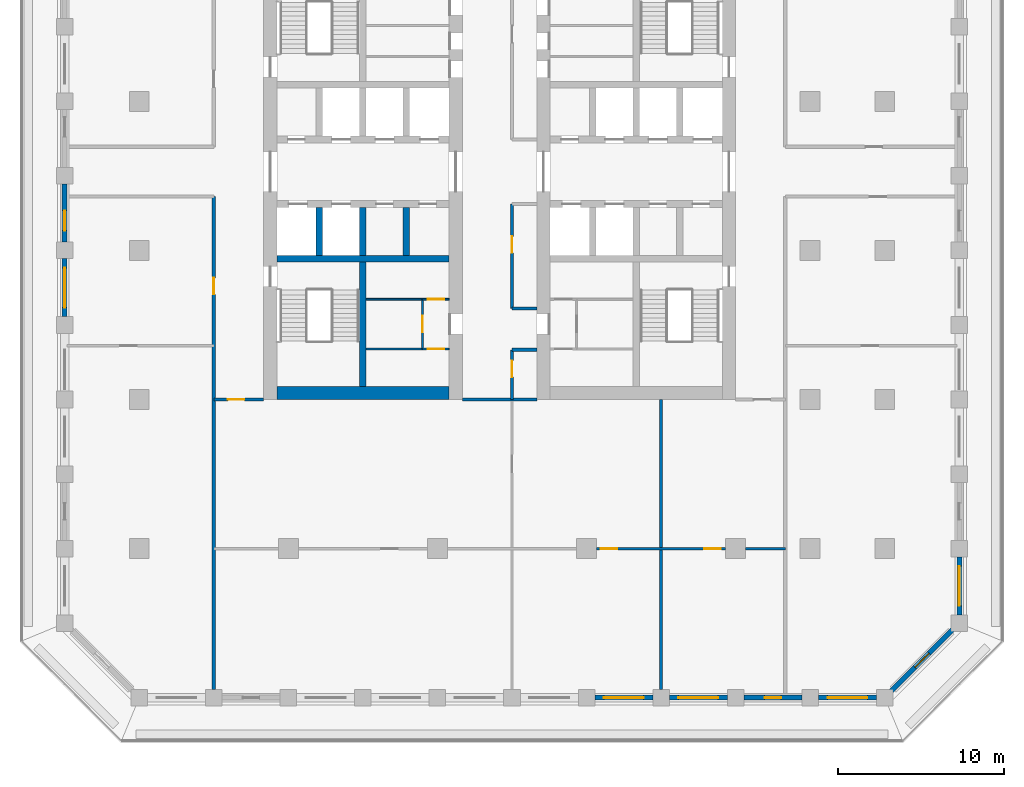
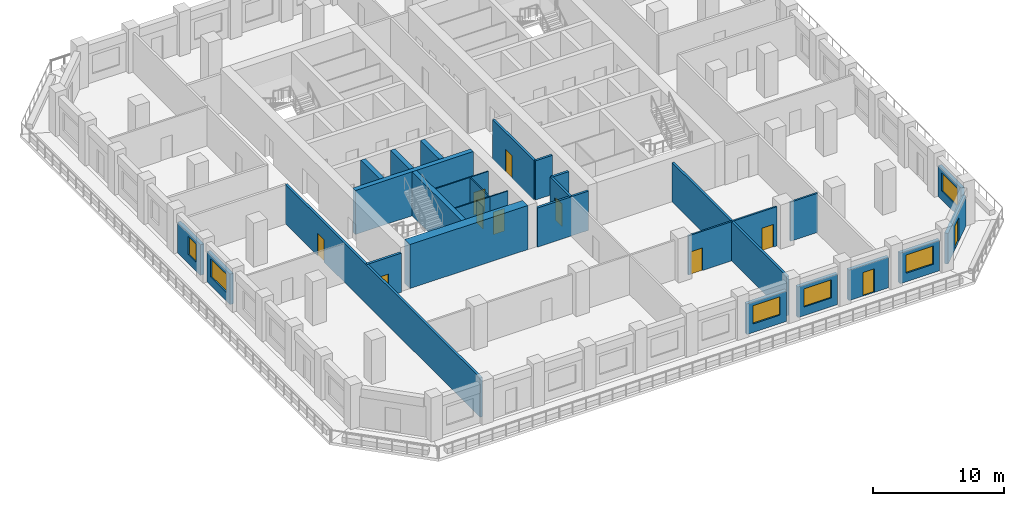
# One storey, part 3 of 16: 29 walls, 11 doors, 6 windows, 17 openings.
"""IFC4 building model written with IfcOpenShell, lengths in metres."""

from ifc_helpers import new_model, si_unit, direction, frame, frame_2d, origin, place, context, subcontext, project, spatial, rectangle, extrude, material, layer, layer_set, type_object, element, fill, save


model = new_model("IFC4")

# Units and contexts
model_context = context("Model", 3, precision=1e-05, world=origin(), true_north=direction((0.0, 1.0)))
body_context = subcontext(model_context, "Body", "Model", "MODEL_VIEW")
ifc_project = project(units=[si_unit("LENGTHUNIT", "METRE"), si_unit("AREAUNIT", "SQUARE_METRE"), si_unit("VOLUMEUNIT", "CUBIC_METRE"), si_unit("PLANEANGLEUNIT", "RADIAN"), si_unit("MASSUNIT", "GRAM", prefix="KILO")], contexts=[model_context])

# Site, building, storey
site_placement = place(None, origin())
site = spatial("IfcSite", under=ifc_project, at=site_placement, CompositionType="ELEMENT")
building_placement = place(site_placement, origin())
building = spatial("IfcBuilding", under=site, at=building_placement, Name="Corbel Stack Research Tower", CompositionType="ELEMENT")
storey_placement = place(building_placement, frame((0.0, 0.0, 195.60009765625)))
storey = spatial("IfcBuildingStorey", under=building, at=storey_placement, Name="L44", CompositionType="ELEMENT", Elevation=195.60009765625)

# Walls
ifc_material_1 = material(Name="Concrete C60/75", Category="concrete")
ifc_layer_1 = layer(ifc_material_1, 0.39990234375)
ifc_layer_set_1 = layer_set([ifc_layer_1], Name="Concrete C60/75")
wall_type_1 = type_object("IfcWallType", Name="CW-400-60", PredefinedType="SHEAR", material=ifc_layer_set_1)
wall_1_placement = place(storey_placement, frame((-9.699951171875, -0.5, 0.0), z_axis=(0.0, 0.0, 1.0), x_axis=(1.0, 0.0, 0.0)))
element("IfcWall", 1, at=wall_1_placement, inside=storey, type_object=wall_type_1, Name="West core wall, south row back L44", PredefinedType="SHEAR", context=body_context, shape_type="SweptSolid", body=[
    extrude(rectangle(XDim=10.39990234375, YDim=0.39990234375, at=frame_2d((5.199951171875, 0.0))), origin(), (0.0, 0.0, 1.0), 4.099853515625),
])
for number, where, z_axis, x_axis, name in (
    (2, (-7.125, -0.300048828125, 0.0), (0.0, 0.0, 1.0), (0.0, 1.0, 0.0), "West core wall, south shaft 1 L44"),
    (3, (-4.5, -0.300048828125, 0.0), (0.0, 0.0, 1.0), (0.0, 1.0, 0.0), "West core wall, south shaft 2 L44"),
    (4, (-1.875, -0.300048828125, 0.0), (0.0, 0.0, 1.0), (0.0, 1.0, 0.0), "West core wall, south shaft 3 L44"),
):
    element("IfcWall", number, at=place(storey_placement, frame(where, z_axis=z_axis, x_axis=x_axis)), inside=storey, type_object=wall_type_1, Name=name, PredefinedType="SHEAR", context=body_context, shape_type="SweptSolid", body=[
        extrude(rectangle(XDim=2.900146484375, YDim=0.39990234375, at=frame_2d((1.4501953125, 0.0))), origin(), (0.0, 0.0, 1.0), 4.099853515625),
    ])
wall_2_placement = place(storey_placement, frame((-4.5, -8.199951171875, 0.0), z_axis=(0.0, 0.0, 1.0), x_axis=(0.0, 1.0, 0.0)))
element("IfcWall", 5, at=wall_2_placement, inside=storey, type_object=wall_type_1, Name="West core wall, south stair and WC L44", PredefinedType="SHEAR", context=body_context, shape_type="SweptSolid", body=[
    extrude(rectangle(XDim=7.5, YDim=0.39990234375, at=frame_2d((3.75, 0.0))), origin(), (0.0, 0.0, 1.0), 4.099853515625),
])
ifc_material_2 = material(Name="Concrete C60/75", Category="concrete")
ifc_layer_2 = layer(ifc_material_2, 0.800048828125)
ifc_layer_set_2 = layer_set([ifc_layer_2], Name="Concrete C60/75")
wall_type_2 = type_object("IfcWallType", Name="CW-800-60", PredefinedType="SHEAR", material=ifc_layer_set_2)
wall_3_placement = place(storey_placement, frame((-9.699951171875, -8.60009765625, 0.0), z_axis=(0.0, 0.0, 1.0), x_axis=(1.0, 0.0, 0.0)))
element("IfcWall", 6, at=wall_3_placement, inside=storey, type_object=wall_type_2, Name="West core wall, south end L44", PredefinedType="SHEAR", context=body_context, shape_type="SweptSolid", body=[
    extrude(rectangle(XDim=10.39990234375, YDim=0.800048828125, at=frame_2d((5.199951171875, 0.0))), origin(), (0.0, 0.0, 1.0), 4.099853515625),
])

# Wall, opening, door
ifc_material_3 = material(Name="Gypsum board")
ifc_layer_3 = layer(ifc_material_3, 0.10009765625)
ifc_layer_set_3 = layer_set([ifc_layer_3], Name="Gypsum board")
wall_type_3 = type_object("IfcWallType", Name="Core partition 100", PredefinedType="PARTITIONING", material=ifc_layer_set_3)
wall_4_placement = place(storey_placement, frame((-0.89990234375, -5.949951171875, 0.0), z_axis=(0.0, 0.0, 1.0), x_axis=(1.0, 0.0, 0.0)))
wall_4 = element("IfcWall", 7, at=wall_4_placement, inside=storey, type_object=wall_type_3, Name="Core partition W", PredefinedType="PARTITIONING", context=body_context, shape_type="SweptSolid", body=[
    extrude(rectangle(XDim=1.599853515625, YDim=0.10009765625, at=frame_2d((0.7998046875, 0.0))), origin(), (0.0, 0.0, 1.0), 3.64990234375),
])
opening_1_placement = place(wall_4_placement, frame((0.300048828125, 0.0, 0.0)))
opening_1 = element("IfcOpeningElement", 8, at=opening_1_placement, cuts=wall_4, Name="Opening CR-W36-W2-1000", PredefinedType="OPENING", context=body_context, shape_type="SweptSolid", body=[
    extrude(rectangle(XDim=1.0, YDim=2.10009765625, at=frame_2d((0.5, 1.050048828125))), frame((0.0, 0.06005859375, 0.0), z_axis=(0.0, -1.0, 0.0), x_axis=(1.0, 0.0, 0.0)), (0.0, 0.0, 1.0), 0.1201171875),
])
ifc_material_4 = material(Name="Painted timber door", Category="wood")
door_type_1 = type_object("IfcDoorType", Name="WC door 1000 x 2100 right hand", OperationType="SINGLE_SWING_RIGHT", PredefinedType="DOOR", material=ifc_material_4)
door_1_placement = place(opening_1_placement, origin())
door_1 = element("IfcDoor", 9, at=door_1_placement, inside=storey, type_object=door_type_1, Name="Men's WC door W core", OperationType="SINGLE_SWING_RIGHT", OverallHeight=2.10009765625, OverallWidth=1.0, PredefinedType="DOOR", context=body_context, shape_type="SweptSolid", body=[
    extrude(rectangle(XDim=1.0, YDim=2.10009765625, at=frame_2d((0.5, 1.050048828125))), frame((0.0, 0.02490234375, 0.0), z_axis=(0.0, -1.0, 0.0), x_axis=(1.0, 0.0, 0.0)), (0.0, 0.0, 1.0), 0.050048828125),
])
fill(opening_1, door_1)

wall_5_placement = place(storey_placement, frame((-0.89990234375, -2.949951171875, 0.0), z_axis=(0.0, 0.0, 1.0), x_axis=(1.0, 0.0, 0.0)))
wall_5 = element("IfcWall", 10, at=wall_5_placement, inside=storey, type_object=wall_type_3, Name="Core partition W", PredefinedType="PARTITIONING", context=body_context, shape_type="SweptSolid", body=[
    extrude(rectangle(XDim=1.599853515625, YDim=0.10009765625, at=frame_2d((0.7998046875, 0.0))), origin(), (0.0, 0.0, 1.0), 3.64990234375),
])
opening_2_placement = place(wall_5_placement, frame((0.300048828125, 0.0, 0.0)))
opening_2 = element("IfcOpeningElement", 11, at=opening_2_placement, cuts=wall_5, Name="Opening CR-W36-W3-1000", PredefinedType="OPENING", context=body_context, shape_type="SweptSolid", body=[
    extrude(rectangle(XDim=1.0, YDim=2.10009765625, at=frame_2d((0.5, 1.050048828125))), frame((0.0, 0.06005859375, 0.0), z_axis=(0.0, -1.0, 0.0), x_axis=(1.0, 0.0, 0.0)), (0.0, 0.0, 1.0), 0.1201171875),
])
ifc_material_5 = material(Name="Painted timber door", Category="wood")
door_type_2 = type_object("IfcDoorType", Name="WC door 1000 x 2100 left hand", OperationType="SINGLE_SWING_LEFT", PredefinedType="DOOR", material=ifc_material_5)
door_2_placement = place(opening_2_placement, origin())
door_2 = element("IfcDoor", 12, at=door_2_placement, inside=storey, type_object=door_type_2, Name="Women's WC door W core", OperationType="SINGLE_SWING_LEFT", OverallHeight=2.10009765625, OverallWidth=1.0, PredefinedType="DOOR", context=body_context, shape_type="SweptSolid", body=[
    extrude(rectangle(XDim=1.0, YDim=2.10009765625, at=frame_2d((0.5, 1.050048828125))), frame((0.0, 0.02490234375, 0.0), z_axis=(0.0, -1.0, 0.0), x_axis=(1.0, 0.0, 0.0)), (0.0, 0.0, 1.0), 0.050048828125),
])
fill(opening_2, door_2)

wall_6_placement = place(storey_placement, frame((-0.89990234375, -5.949951171875, 0.0), z_axis=(0.0, 0.0, 1.0), x_axis=(0.0, 1.0, 0.0)))
wall_6 = element("IfcWall", 13, at=wall_6_placement, inside=storey, type_object=wall_type_3, Name="Core partition W", PredefinedType="PARTITIONING", context=body_context, shape_type="SweptSolid", body=[
    extrude(rectangle(XDim=3.0, YDim=0.10009765625, at=frame_2d((1.5, 0.0))), origin(), (0.0, 0.0, 1.0), 3.64990234375),
])
opening_3_placement = place(wall_6_placement, frame((1.0, 0.0, 0.0)))
opening_3 = element("IfcOpeningElement", 14, at=opening_3_placement, cuts=wall_6, Name="Opening CR-W36-W4-1000", PredefinedType="OPENING", context=body_context, shape_type="SweptSolid", body=[
    extrude(rectangle(XDim=1.0, YDim=2.10009765625, at=frame_2d((0.5, 1.050048828125))), frame((0.0, 0.06005859375, 0.0), z_axis=(0.0, -1.0, 0.0), x_axis=(1.0, 0.0, 0.0)), (0.0, 0.0, 1.0), 0.1201171875),
])
door_3_placement = place(opening_3_placement, origin())
door_3 = element("IfcDoor", 15, at=door_3_placement, inside=storey, type_object=door_type_1, Name="Accessible WC door W core", OperationType="SINGLE_SWING_RIGHT", OverallHeight=2.10009765625, OverallWidth=1.0, PredefinedType="DOOR", context=body_context, shape_type="SweptSolid", body=[
    extrude(rectangle(XDim=1.0, YDim=2.10009765625, at=frame_2d((0.5, 1.050048828125))), frame((0.0, 0.02490234375, 0.0), z_axis=(0.0, -1.0, 0.0), x_axis=(1.0, 0.0, 0.0)), (0.0, 0.0, 1.0), 0.050048828125),
])
fill(opening_3, door_3)

# Walls
for number, where, z_axis, x_axis, name in (
    (16, (-4.300048828125, -5.949951171875, 0.0), (0.0, 0.0, 1.0), (1.0, 0.0, 0.0), "Core partition W"),
    (17, (-4.300048828125, -2.949951171875, 0.0), (0.0, 0.0, 1.0), (1.0, 0.0, 0.0), "Core partition W"),
):
    element("IfcWall", number, at=place(storey_placement, frame(where, z_axis=z_axis, x_axis=x_axis)), inside=storey, type_object=wall_type_3, Name=name, PredefinedType="PARTITIONING", context=body_context, shape_type="SweptSolid", body=[
        extrude(rectangle(XDim=3.400146484375, YDim=0.10009765625, at=frame_2d((1.7001953125, 0.0))), origin(), (0.0, 0.0, 1.0), 3.64990234375),
    ])

# Wall, opening, door
ifc_material_6 = material(Name="Fire-rated gypsum board partition on steel studs", Category="steel")
ifc_layer_4 = layer(ifc_material_6, 0.199951171875)
ifc_layer_set_4 = layer_set([ifc_layer_4], Name="Fire-rated gypsum board partition on steel studs")
wall_type_4 = type_object("IfcWallType", Name="Fire-rated partition 200 EI 60", PredefinedType="PARTITIONING", material=ifc_layer_set_4)
wall_7_placement = place(storey_placement, frame((-13.5, -26.5, 0.0), z_axis=(0.0, 0.0, 1.0), x_axis=(0.0, 1.0, 0.0)))
wall_7 = element("IfcWall", 18, at=wall_7_placement, inside=storey, type_object=wall_type_4, Name="Partition L44-001", PredefinedType="PARTITIONING", context=body_context, shape_type="SweptSolid", body=[
    extrude(rectangle(XDim=29.75, YDim=0.199951171875, at=frame_2d((14.875, 0.0))), origin(), (0.0, 0.0, 1.0), 3.64990234375),
])
opening_4_placement = place(wall_7_placement, frame((23.85009765625, 0.0, 0.0)))
opening_4 = element("IfcOpeningElement", 19, at=opening_4_placement, cuts=wall_7, Name="Opening B6V0-004", PredefinedType="OPENING", context=body_context, shape_type="SweptSolid", body=[
    extrude(rectangle(XDim=1.0, YDim=2.10009765625, at=frame_2d((0.5, 1.050048828125))), frame((0.0, 0.10986328125, 0.0), z_axis=(0.0, -1.0, 0.0), x_axis=(1.0, 0.0, 0.0)), (0.0, 0.0, 1.0), 0.219970703125),
])
ifc_material_7 = material(Name="Painted steel fire door", Category="steel")
door_type_3 = type_object("IfcDoorType", Name="Fire door FD30S 1000 x 2100", OperationType="NOTDEFINED", PredefinedType="DOOR", material=ifc_material_7)
door_4_placement = place(opening_4_placement, origin())
door_4 = element("IfcDoor", 20, at=door_4_placement, inside=storey, type_object=door_type_3, Name="Door B6V0-004", OperationType="SINGLE_SWING_RIGHT", OverallHeight=2.10009765625, OverallWidth=1.0, PredefinedType="DOOR", context=body_context, shape_type="SweptSolid", body=[
    extrude(rectangle(XDim=1.0, YDim=2.10009765625, at=frame_2d((0.5, 1.050048828125))), frame((0.0, 0.02490234375, 0.0), z_axis=(0.0, -1.0, 0.0), x_axis=(1.0, 0.0, 0.0)), (0.0, 0.0, 1.0), 0.050048828125),
])
fill(opening_4, door_4)

wall_8_placement = place(storey_placement, frame((4.5, -6.0, 0.0), z_axis=(0.0, 0.0, 1.0), x_axis=(0.0, -1.0, 0.0)))
wall_8 = element("IfcWall", 21, at=wall_8_placement, inside=storey, type_object=wall_type_4, Name="Partition L44-005", PredefinedType="PARTITIONING", context=body_context, shape_type="SweptSolid", body=[
    extrude(rectangle(XDim=3.0, YDim=0.199951171875, at=frame_2d((1.5, 0.0))), origin(), (0.0, 0.0, 1.0), 3.64990234375),
])
opening_5_placement = place(wall_8_placement, frame((0.64990234375, 0.0, 0.0)))
opening_5 = element("IfcOpeningElement", 22, at=opening_5_placement, cuts=wall_8, Name="Opening B6V0-012", PredefinedType="OPENING", context=body_context, shape_type="SweptSolid", body=[
    extrude(rectangle(XDim=1.0, YDim=2.10009765625, at=frame_2d((0.5, 1.050048828125))), frame((0.0, 0.10986328125, 0.0), z_axis=(0.0, -1.0, 0.0), x_axis=(1.0, 0.0, 0.0)), (0.0, 0.0, 1.0), 0.219970703125),
])
door_5_placement = place(opening_5_placement, origin())
door_5 = element("IfcDoor", 23, at=door_5_placement, inside=storey, type_object=door_type_3, Name="Door B6V0-012", OperationType="SINGLE_SWING_LEFT", OverallHeight=2.10009765625, OverallWidth=1.0, PredefinedType="DOOR", context=body_context, shape_type="SweptSolid", body=[
    extrude(rectangle(XDim=1.0, YDim=2.10009765625, at=frame_2d((0.5, 1.050048828125))), frame((0.0, 0.02490234375, 0.0), z_axis=(0.0, -1.0, 0.0), x_axis=(1.0, 0.0, 0.0)), (0.0, 0.0, 1.0), 0.050048828125),
])
fill(opening_5, door_5)

wall_9_placement = place(storey_placement, frame((4.5, 2.800048828125, 0.0), z_axis=(0.0, 0.0, 1.0), x_axis=(0.0, -1.0, 0.0)))
wall_9 = element("IfcWall", 24, at=wall_9_placement, inside=storey, type_object=wall_type_4, Name="Partition L44-006", PredefinedType="PARTITIONING", context=body_context, shape_type="SweptSolid", body=[
    extrude(rectangle(XDim=6.300048828125, YDim=0.199951171875, at=frame_2d((3.14990234375, 0.0))), origin(), (0.0, 0.0, 1.0), 3.64990234375),
])
opening_6_placement = place(wall_9_placement, frame((1.949951171875, 0.0, 0.0)))
opening_6 = element("IfcOpeningElement", 25, at=opening_6_placement, cuts=wall_9, Name="Opening B6V0-013", PredefinedType="OPENING", context=body_context, shape_type="SweptSolid", body=[
    extrude(rectangle(XDim=1.0, YDim=2.10009765625, at=frame_2d((0.5, 1.050048828125))), frame((0.0, 0.10986328125, 0.0), z_axis=(0.0, -1.0, 0.0), x_axis=(1.0, 0.0, 0.0)), (0.0, 0.0, 1.0), 0.219970703125),
])
door_6_placement = place(opening_6_placement, origin())
door_6 = element("IfcDoor", 26, at=door_6_placement, inside=storey, type_object=door_type_3, Name="Door B6V0-013", OperationType="SINGLE_SWING_LEFT", OverallHeight=2.10009765625, OverallWidth=1.0, PredefinedType="DOOR", context=body_context, shape_type="SweptSolid", body=[
    extrude(rectangle(XDim=1.0, YDim=2.10009765625, at=frame_2d((0.5, 1.050048828125))), frame((0.0, 0.02490234375, 0.0), z_axis=(0.0, -1.0, 0.0), x_axis=(1.0, 0.0, 0.0)), (0.0, 0.0, 1.0), 0.050048828125),
])
fill(opening_6, door_6)

# Wall
wall_10_placement = place(storey_placement, frame((13.5, -26.5, 0.0), z_axis=(0.0, 0.0, 1.0), x_axis=(0.0, 1.0, 0.0)))
element("IfcWall", 27, at=wall_10_placement, inside=storey, type_object=wall_type_4, Name="Partition L44-008", PredefinedType="PARTITIONING", context=body_context, shape_type="SweptSolid", body=[
    extrude(rectangle(XDim=17.5, YDim=0.199951171875, at=frame_2d((8.75, 0.0))), origin(), (0.0, 0.0, 1.0), 3.64990234375),
])

# Wall, opening, door
wall_11_placement = place(storey_placement, frame((-10.5, -9.0, 0.0), z_axis=(0.0, 0.0, 1.0), x_axis=(-1.0, 0.0, 0.0)))
wall_11 = element("IfcWall", 28, at=wall_11_placement, inside=storey, type_object=wall_type_4, Name="Partition L44-017", PredefinedType="PARTITIONING", context=body_context, shape_type="SweptSolid", body=[
    extrude(rectangle(XDim=3.0, YDim=0.199951171875, at=frame_2d((1.5, 0.0))), origin(), (0.0, 0.0, 1.0), 3.64990234375),
])
opening_7_placement = place(wall_11_placement, frame((1.14990234375, 0.0, 0.0)))
opening_7 = element("IfcOpeningElement", 29, at=opening_7_placement, cuts=wall_11, Name="Opening B6V0-006", PredefinedType="OPENING", context=body_context, shape_type="SweptSolid", body=[
    extrude(rectangle(XDim=1.0, YDim=2.10009765625, at=frame_2d((0.5, 1.050048828125))), frame((0.0, 0.10986328125, 0.0), z_axis=(0.0, -1.0, 0.0), x_axis=(1.0, 0.0, 0.0)), (0.0, 0.0, 1.0), 0.219970703125),
])
door_7_placement = place(opening_7_placement, origin())
door_7 = element("IfcDoor", 30, at=door_7_placement, inside=storey, type_object=door_type_3, Name="Door B6V0-006", OperationType="SINGLE_SWING_RIGHT", OverallHeight=2.10009765625, OverallWidth=1.0, PredefinedType="DOOR", context=body_context, shape_type="SweptSolid", body=[
    extrude(rectangle(XDim=1.0, YDim=2.10009765625, at=frame_2d((0.5, 1.050048828125))), frame((0.0, 0.02490234375, 0.0), z_axis=(0.0, -1.0, 0.0), x_axis=(1.0, 0.0, 0.0)), (0.0, 0.0, 1.0), 0.050048828125),
])
fill(opening_7, door_7)

# Walls
wall_12_placement = place(storey_placement, frame((1.5, -9.0, 0.0), z_axis=(0.0, 0.0, 1.0), x_axis=(1.0, 0.0, 0.0)))
element("IfcWall", 31, at=wall_12_placement, inside=storey, type_object=wall_type_4, Name="Partition L44-018", PredefinedType="PARTITIONING", context=body_context, shape_type="SweptSolid", body=[
    extrude(rectangle(XDim=4.5, YDim=0.199951171875, at=frame_2d((2.25, 0.0))), origin(), (0.0, 0.0, 1.0), 3.64990234375),
])
for number, where, z_axis, x_axis, name in (
    (32, (4.5, -6.0, 0.0), (0.0, 0.0, 1.0), (1.0, 0.0, 0.0), "Partition L44-020"),
    (33, (4.5, -3.5, 0.0), (0.0, 0.0, 1.0), (1.0, 0.0, 0.0), "Partition L44-023"),
):
    element("IfcWall", number, at=place(storey_placement, frame(where, z_axis=z_axis, x_axis=x_axis)), inside=storey, type_object=wall_type_4, Name=name, PredefinedType="PARTITIONING", context=body_context, shape_type="SweptSolid", body=[
        extrude(rectangle(XDim=1.5, YDim=0.199951171875, at=frame_2d((0.75, 0.0))), origin(), (0.0, 0.0, 1.0), 3.64990234375),
    ])

# Wall, openings, doors
ifc_material_8 = material(Name="Gypsum board partition on steel studs", Category="steel")
ifc_layer_5 = layer(ifc_material_8, 0.14990234375)
ifc_layer_set_5 = layer_set([ifc_layer_5], Name="Gypsum board partition on steel studs")
wall_type_5 = type_object("IfcWallType", Name="Partition 150", PredefinedType="PARTITIONING", material=ifc_layer_set_5)
wall_13_placement = place(storey_placement, frame((17.39990234375, -18.0, 0.0), z_axis=(0.0, 0.0, 1.0), x_axis=(-1.0, 0.0, 0.0)))
wall_13 = element("IfcWall", 34, at=wall_13_placement, inside=storey, type_object=wall_type_5, Name="Partition L44-015", PredefinedType="PARTITIONING", context=body_context, shape_type="SweptSolid", body=[
    extrude(rectangle(XDim=7.7998046875, YDim=0.14990234375, at=frame_2d((3.89990234375, 0.0))), origin(), (0.0, 0.0, 1.0), 3.64990234375),
])
opening_8_placement = place(wall_13_placement, frame((6.550048828125, 0.0, 0.0)))
opening_8 = element("IfcOpeningElement", 35, at=opening_8_placement, cuts=wall_13, Name="Opening B6V0-002", PredefinedType="OPENING", context=body_context, shape_type="SweptSolid", body=[
    extrude(rectangle(XDim=1.0, YDim=2.10009765625, at=frame_2d((0.5, 1.050048828125))), frame((0.0, 0.0849609375, 0.0), z_axis=(0.0, -1.0, 0.0), x_axis=(1.0, 0.0, 0.0)), (0.0, 0.0, 1.0), 0.169921875),
])
opening_9_placement = place(wall_13_placement, frame((0.300048828125, 0.0, 0.0)))
opening_9 = element("IfcOpeningElement", 36, at=opening_9_placement, cuts=wall_13, Name="Opening B6V0-003", PredefinedType="OPENING", context=body_context, shape_type="SweptSolid", body=[
    extrude(rectangle(XDim=1.0, YDim=2.10009765625, at=frame_2d((0.5, 1.050048828125))), frame((0.0, 0.0849609375, 0.0), z_axis=(0.0, -1.0, 0.0), x_axis=(1.0, 0.0, 0.0)), (0.0, 0.0, 1.0), 0.169921875),
])
ifc_material_9 = material(Name="Painted timber door", Category="wood")
door_type_4 = type_object("IfcDoorType", Name="Single door 1000 x 2100", OperationType="NOTDEFINED", PredefinedType="DOOR", material=ifc_material_9)
door_8_placement = place(opening_8_placement, origin())
door_8 = element("IfcDoor", 37, at=door_8_placement, inside=storey, type_object=door_type_4, Name="Door B6V0-002", OperationType="SINGLE_SWING_RIGHT", OverallHeight=2.10009765625, OverallWidth=1.0, PredefinedType="DOOR", context=body_context, shape_type="SweptSolid", body=[
    extrude(rectangle(XDim=1.0, YDim=2.10009765625, at=frame_2d((0.5, 1.050048828125))), frame((0.0, 0.02490234375, 0.0), z_axis=(0.0, -1.0, 0.0), x_axis=(1.0, 0.0, 0.0)), (0.0, 0.0, 1.0), 0.050048828125),
])
fill(opening_8, door_8)
door_9_placement = place(opening_9_placement, origin())
door_9 = element("IfcDoor", 38, at=door_9_placement, inside=storey, type_object=door_type_4, Name="Door B6V0-003", OperationType="SINGLE_SWING_LEFT", OverallHeight=2.10009765625, OverallWidth=1.0, PredefinedType="DOOR", context=body_context, shape_type="SweptSolid", body=[
    extrude(rectangle(XDim=1.0, YDim=2.10009765625, at=frame_2d((0.5, 1.050048828125))), frame((0.0, 0.02490234375, 0.0), z_axis=(0.0, -1.0, 0.0), x_axis=(1.0, 0.0, 0.0)), (0.0, 0.0, 1.0), 0.050048828125),
])
fill(opening_9, door_9)

# Wall
wall_14_placement = place(storey_placement, frame((18.60009765625, -18.0, 0.0), z_axis=(0.0, 0.0, 1.0), x_axis=(1.0, 0.0, 0.0)))
element("IfcWall", 39, at=wall_14_placement, inside=storey, type_object=wall_type_5, Name="Partition L44-016", PredefinedType="PARTITIONING", context=body_context, shape_type="SweptSolid", body=[
    extrude(rectangle(XDim=2.39990234375, YDim=0.14990234375, at=frame_2d((1.199951171875, 0.0))), origin(), (0.0, 0.0, 1.0), 3.64990234375),
])

# Wall, opening, window
ifc_material_10 = material(Name="Concrete C45/55", Category="concrete")
ifc_layer_6 = layer(ifc_material_10, 0.300048828125)
ifc_layer_set_6 = layer_set([ifc_layer_6], Name="Concrete C45/55")
wall_type_6 = type_object("IfcWallType", Name="Terracotta-faced concrete wall 300", PredefinedType="SOLIDWALL", material=ifc_layer_set_6)
wall_15_placement = place(storey_placement, frame((13.0, -27.0, 0.0), z_axis=(0.0, 0.0, 1.0), x_axis=(-1.0, 0.0, 0.0)))
wall_15 = element("IfcWall", 40, at=wall_15_placement, inside=storey, type_object=wall_type_6, Name="Facade wall L44 S07", PredefinedType="SOLIDWALL", context=body_context, shape_type="SweptSolid", body=[
    extrude(rectangle(XDim=3.5, YDim=0.300048828125, at=frame_2d((1.75, 0.0))), origin(), (0.0, 0.0, 1.0), 2.849853515625),
])
opening_10_placement = place(wall_15_placement, frame((0.550048828125, 0.0, 0.800048828125)))
opening_10 = element("IfcOpeningElement", 41, at=opening_10_placement, cuts=wall_15, Name="Opening W1", PredefinedType="OPENING", context=body_context, shape_type="SweptSolid", body=[
    extrude(rectangle(XDim=2.39990234375, YDim=1.699951171875, at=frame_2d((1.199951171875, 0.85009765625))), frame((0.0, 0.159912109375, 0.0), z_axis=(0.0, -1.0, 0.0), x_axis=(1.0, 0.0, 0.0)), (0.0, 0.0, 1.0), 0.320068359375),
])
ifc_material_11 = material(Name="Aluminium frame, clear double glazing", Category="aluminium")
window_type_1 = type_object("IfcWindowType", Name="Window W1 2400 x 1700", PartitioningType="SINGLE_PANEL", PredefinedType="WINDOW", material=ifc_material_11)
window_1_placement = place(opening_10_placement, origin())
window_1 = element("IfcWindow", 42, at=window_1_placement, inside=storey, type_object=window_type_1, Name="Window W1 L44 S07", OverallHeight=1.699951171875, OverallWidth=2.39990234375, PartitioningType="SINGLE_PANEL", PredefinedType="WINDOW", context=body_context, shape_type="SweptSolid", body=[
    extrude(rectangle(XDim=2.39990234375, YDim=1.699951171875, at=frame_2d((1.199951171875, 0.85009765625))), frame((0.0, 0.030029296875, 0.0), z_axis=(0.0, -1.0, 0.0), x_axis=(1.0, 0.0, 0.0)), (0.0, 0.0, 1.0), 0.06005859375),
])
fill(opening_10, window_1)

wall_16_placement = place(storey_placement, frame((17.5, -27.0, 0.0), z_axis=(0.0, 0.0, 1.0), x_axis=(-1.0, 0.0, 0.0)))
wall_16 = element("IfcWall", 43, at=wall_16_placement, inside=storey, type_object=wall_type_6, Name="Facade wall L44 S08", PredefinedType="SOLIDWALL", context=body_context, shape_type="SweptSolid", body=[
    extrude(rectangle(XDim=3.5, YDim=0.300048828125, at=frame_2d((1.75, 0.0))), origin(), (0.0, 0.0, 1.0), 2.849853515625),
])
opening_11_placement = place(wall_16_placement, frame((0.550048828125, 0.0, 0.800048828125)))
opening_11 = element("IfcOpeningElement", 44, at=opening_11_placement, cuts=wall_16, Name="Opening W1", PredefinedType="OPENING", context=body_context, shape_type="SweptSolid", body=[
    extrude(rectangle(XDim=2.39990234375, YDim=1.699951171875, at=frame_2d((1.199951171875, 0.85009765625))), frame((0.0, 0.159912109375, 0.0), z_axis=(0.0, -1.0, 0.0), x_axis=(1.0, 0.0, 0.0)), (0.0, 0.0, 1.0), 0.320068359375),
])
window_2_placement = place(opening_11_placement, origin())
window_2 = element("IfcWindow", 45, at=window_2_placement, inside=storey, type_object=window_type_1, Name="Window W1 L44 S08", OverallHeight=1.699951171875, OverallWidth=2.39990234375, PartitioningType="SINGLE_PANEL", PredefinedType="WINDOW", context=body_context, shape_type="SweptSolid", body=[
    extrude(rectangle(XDim=2.39990234375, YDim=1.699951171875, at=frame_2d((1.199951171875, 0.85009765625))), frame((0.0, 0.030029296875, 0.0), z_axis=(0.0, -1.0, 0.0), x_axis=(1.0, 0.0, 0.0)), (0.0, 0.0, 1.0), 0.06005859375),
])
fill(opening_11, window_2)

# Wall, opening, door
wall_17_placement = place(storey_placement, frame((22.0, -27.0, 0.0), z_axis=(0.0, 0.0, 1.0), x_axis=(-1.0, 0.0, 0.0)))
wall_17 = element("IfcWall", 46, at=wall_17_placement, inside=storey, type_object=wall_type_6, Name="Facade wall L44 S09", PredefinedType="SOLIDWALL", context=body_context, shape_type="SweptSolid", body=[
    extrude(rectangle(XDim=3.5, YDim=0.300048828125, at=frame_2d((1.75, 0.0))), origin(), (0.0, 0.0, 1.0), 2.849853515625),
])
opening_12_placement = place(wall_17_placement, frame((1.25, 0.0, 0.0)))
opening_12 = element("IfcOpeningElement", 47, at=opening_12_placement, cuts=wall_17, Name="Opening L44-B02", PredefinedType="OPENING", context=body_context, shape_type="SweptSolid", body=[
    extrude(rectangle(XDim=1.0, YDim=2.199951171875, at=frame_2d((0.5, 1.10009765625))), frame((0.0, 0.159912109375, 0.0), z_axis=(0.0, -1.0, 0.0), x_axis=(1.0, 0.0, 0.0)), (0.0, 0.0, 1.0), 0.320068359375),
])
ifc_material_12 = material(Name="Aluminium frame, clear double glazing", Category="aluminium")
door_type_5 = type_object("IfcDoorType", Name="Balcony door BD1 1000 x 2200", OperationType="NOTDEFINED", PredefinedType="DOOR", material=ifc_material_12)
door_10_placement = place(opening_12_placement, origin())
door_10 = element("IfcDoor", 48, at=door_10_placement, inside=storey, type_object=door_type_5, Name="Balcony door L44-B02", OperationType="SINGLE_SWING_LEFT", OverallHeight=2.199951171875, OverallWidth=1.0, PredefinedType="DOOR", context=body_context, shape_type="SweptSolid", body=[
    extrude(rectangle(XDim=1.0, YDim=2.199951171875, at=frame_2d((0.5, 1.10009765625))), frame((0.0, 0.02490234375, 0.0), z_axis=(0.0, -1.0, 0.0), x_axis=(1.0, 0.0, 0.0)), (0.0, 0.0, 1.0), 0.050048828125),
])
fill(opening_12, door_10)

# Wall, opening, window
wall_18_placement = place(storey_placement, frame((26.5, -27.0, 0.0), z_axis=(0.0, 0.0, 1.0), x_axis=(-1.0, 0.0, 0.0)))
wall_18 = element("IfcWall", 49, at=wall_18_placement, inside=storey, type_object=wall_type_6, Name="Facade wall L44 S10", PredefinedType="SOLIDWALL", context=body_context, shape_type="SweptSolid", body=[
    extrude(rectangle(XDim=3.5, YDim=0.300048828125, at=frame_2d((1.75, 0.0))), origin(), (0.0, 0.0, 1.0), 2.849853515625),
])
opening_13_placement = place(wall_18_placement, frame((0.550048828125, 0.0, 0.800048828125)))
opening_13 = element("IfcOpeningElement", 50, at=opening_13_placement, cuts=wall_18, Name="Opening W1", PredefinedType="OPENING", context=body_context, shape_type="SweptSolid", body=[
    extrude(rectangle(XDim=2.39990234375, YDim=1.699951171875, at=frame_2d((1.199951171875, 0.85009765625))), frame((0.0, 0.159912109375, 0.0), z_axis=(0.0, -1.0, 0.0), x_axis=(1.0, 0.0, 0.0)), (0.0, 0.0, 1.0), 0.320068359375),
])
window_3_placement = place(opening_13_placement, origin())
window_3 = element("IfcWindow", 51, at=window_3_placement, inside=storey, type_object=window_type_1, Name="Window W1 L44 S10", OverallHeight=1.699951171875, OverallWidth=2.39990234375, PartitioningType="SINGLE_PANEL", PredefinedType="WINDOW", context=body_context, shape_type="SweptSolid", body=[
    extrude(rectangle(XDim=2.39990234375, YDim=1.699951171875, at=frame_2d((1.199951171875, 0.85009765625))), frame((0.0, 0.030029296875, 0.0), z_axis=(0.0, -1.0, 0.0), x_axis=(1.0, 0.0, 0.0)), (0.0, 0.0, 1.0), 0.06005859375),
])
fill(opening_13, window_3)

# Wall, opening, door
wall_19_placement = place(storey_placement, frame((31.106201171875, -22.893798828125, 0.0), z_axis=(0.0, 0.0, 1.0), x_axis=(-0.707106781187, -0.707106781187, 0.0)))
wall_19 = element("IfcWall", 52, at=wall_19_placement, inside=storey, type_object=wall_type_6, Name="Facade wall L44 SE01", PredefinedType="SOLIDWALL", context=body_context, shape_type="SweptSolid", body=[
    extrude(rectangle(XDim=5.250244140625, YDim=0.300048828125, at=frame_2d((2.625, 0.0))), origin(), (0.0, 0.0, 1.0), 2.849853515625),
])
opening_14_placement = place(wall_19_placement, frame((2.02490234375, 0.0, 0.0)))
opening_14 = element("IfcOpeningElement", 53, at=opening_14_placement, cuts=wall_19, Name="Opening L44-B03", PredefinedType="OPENING", context=body_context, shape_type="SweptSolid", body=[
    extrude(rectangle(XDim=1.199951171875, YDim=2.199951171875, at=frame_2d((0.60009765625, 1.10009765625))), frame((0.0, 0.159912109375, 0.0), z_axis=(0.0, -1.0, 0.0), x_axis=(1.0, 0.0, 0.0)), (0.0, 0.0, 1.0), 0.320068359375),
])
ifc_material_13 = material(Name="Aluminium frame, clear double glazing", Category="aluminium")
door_type_6 = type_object("IfcDoorType", Name="Balcony door BD2 1200 x 2200", OperationType="NOTDEFINED", PredefinedType="DOOR", material=ifc_material_13)
door_11_placement = place(opening_14_placement, origin())
door_11 = element("IfcDoor", 54, at=door_11_placement, inside=storey, type_object=door_type_6, Name="Balcony door L44-B03", OperationType="SINGLE_SWING_LEFT", OverallHeight=2.199951171875, OverallWidth=1.199951171875, PredefinedType="DOOR", context=body_context, shape_type="SweptSolid", body=[
    extrude(rectangle(XDim=1.199951171875, YDim=2.199951171875, at=frame_2d((0.60009765625, 1.10009765625))), frame((0.0, 0.02490234375, 0.0), z_axis=(0.0, -1.0, 0.0), x_axis=(1.0, 0.0, 0.0)), (0.0, 0.0, 1.0), 0.050048828125),
])
fill(opening_14, door_11)

# Wall, opening, window
wall_20_placement = place(storey_placement, frame((31.5, -18.5, 0.0), z_axis=(0.0, 0.0, 1.0), x_axis=(0.0, -1.0, 0.0)))
wall_20 = element("IfcWall", 55, at=wall_20_placement, inside=storey, type_object=wall_type_6, Name="Facade wall L44 E01", PredefinedType="SOLIDWALL", context=body_context, shape_type="SweptSolid", body=[
    extrude(rectangle(XDim=3.5, YDim=0.300048828125, at=frame_2d((1.75, 0.0))), origin(), (0.0, 0.0, 1.0), 2.849853515625),
])
opening_15_placement = place(wall_20_placement, frame((0.550048828125, 0.0, 0.800048828125)))
opening_15 = element("IfcOpeningElement", 56, at=opening_15_placement, cuts=wall_20, Name="Opening W1", PredefinedType="OPENING", context=body_context, shape_type="SweptSolid", body=[
    extrude(rectangle(XDim=2.39990234375, YDim=1.699951171875, at=frame_2d((1.199951171875, 0.85009765625))), frame((0.0, 0.159912109375, 0.0), z_axis=(0.0, -1.0, 0.0), x_axis=(1.0, 0.0, 0.0)), (0.0, 0.0, 1.0), 0.320068359375),
])
window_4_placement = place(opening_15_placement, origin())
window_4 = element("IfcWindow", 57, at=window_4_placement, inside=storey, type_object=window_type_1, Name="Window W1 L44 E01", OverallHeight=1.699951171875, OverallWidth=2.39990234375, PartitioningType="SINGLE_PANEL", PredefinedType="WINDOW", context=body_context, shape_type="SweptSolid", body=[
    extrude(rectangle(XDim=2.39990234375, YDim=1.699951171875, at=frame_2d((1.199951171875, 0.85009765625))), frame((0.0, 0.030029296875, 0.0), z_axis=(0.0, -1.0, 0.0), x_axis=(1.0, 0.0, 0.0)), (0.0, 0.0, 1.0), 0.06005859375),
])
fill(opening_15, window_4)

wall_21_placement = place(storey_placement, frame((-22.5, 0.5, 0.0), z_axis=(0.0, 0.0, 1.0), x_axis=(0.0, 1.0, 0.0)))
wall_21 = element("IfcWall", 58, at=wall_21_placement, inside=storey, type_object=wall_type_6, Name="Facade wall L44 W05", PredefinedType="SOLIDWALL", context=body_context, shape_type="SweptSolid", body=[
    extrude(rectangle(XDim=3.5, YDim=0.300048828125, at=frame_2d((1.75, 0.0))), origin(), (0.0, 0.0, 1.0), 2.849853515625),
])
opening_16_placement = place(wall_21_placement, frame((0.699951171875, 0.0, 0.800048828125)))
opening_16 = element("IfcOpeningElement", 59, at=opening_16_placement, cuts=wall_21, Name="Opening W2", PredefinedType="OPENING", context=body_context, shape_type="SweptSolid", body=[
    extrude(rectangle(XDim=1.199951171875, YDim=1.699951171875, at=frame_2d((0.60009765625, 0.85009765625))), frame((0.0, 0.159912109375, 0.0), z_axis=(0.0, -1.0, 0.0), x_axis=(1.0, 0.0, 0.0)), (0.0, 0.0, 1.0), 0.320068359375),
])
ifc_material_14 = material(Name="Aluminium frame, clear double glazing", Category="aluminium")
window_type_2 = type_object("IfcWindowType", Name="Window W2 1200 x 1700", PartitioningType="SINGLE_PANEL", PredefinedType="WINDOW", material=ifc_material_14)
window_5_placement = place(opening_16_placement, origin())
window_5 = element("IfcWindow", 60, at=window_5_placement, inside=storey, type_object=window_type_2, Name="Window W2 L44 W05", OverallHeight=1.699951171875, OverallWidth=1.199951171875, PartitioningType="SINGLE_PANEL", PredefinedType="WINDOW", context=body_context, shape_type="SweptSolid", body=[
    extrude(rectangle(XDim=1.199951171875, YDim=1.699951171875, at=frame_2d((0.60009765625, 0.85009765625))), frame((0.0, 0.030029296875, 0.0), z_axis=(0.0, -1.0, 0.0), x_axis=(1.0, 0.0, 0.0)), (0.0, 0.0, 1.0), 0.06005859375),
])
fill(opening_16, window_5)

wall_22_placement = place(storey_placement, frame((-22.5, -4.0, 0.0), z_axis=(0.0, 0.0, 1.0), x_axis=(0.0, 1.0, 0.0)))
wall_22 = element("IfcWall", 61, at=wall_22_placement, inside=storey, type_object=wall_type_6, Name="Facade wall L44 W06", PredefinedType="SOLIDWALL", context=body_context, shape_type="SweptSolid", body=[
    extrude(rectangle(XDim=3.5, YDim=0.300048828125, at=frame_2d((1.75, 0.0))), origin(), (0.0, 0.0, 1.0), 2.849853515625),
])
opening_17_placement = place(wall_22_placement, frame((0.550048828125, 0.0, 0.800048828125)))
opening_17 = element("IfcOpeningElement", 62, at=opening_17_placement, cuts=wall_22, Name="Opening W1", PredefinedType="OPENING", context=body_context, shape_type="SweptSolid", body=[
    extrude(rectangle(XDim=2.39990234375, YDim=1.699951171875, at=frame_2d((1.199951171875, 0.85009765625))), frame((0.0, 0.159912109375, 0.0), z_axis=(0.0, -1.0, 0.0), x_axis=(1.0, 0.0, 0.0)), (0.0, 0.0, 1.0), 0.320068359375),
])
window_6_placement = place(opening_17_placement, origin())
window_6 = element("IfcWindow", 63, at=window_6_placement, inside=storey, type_object=window_type_1, Name="Window W1 L44 W06", OverallHeight=1.699951171875, OverallWidth=2.39990234375, PartitioningType="SINGLE_PANEL", PredefinedType="WINDOW", context=body_context, shape_type="SweptSolid", body=[
    extrude(rectangle(XDim=2.39990234375, YDim=1.699951171875, at=frame_2d((1.199951171875, 0.85009765625))), frame((0.0, 0.030029296875, 0.0), z_axis=(0.0, -1.0, 0.0), x_axis=(1.0, 0.0, 0.0)), (0.0, 0.0, 1.0), 0.06005859375),
])
fill(opening_17, window_6)

save(model, "model.ifc")
